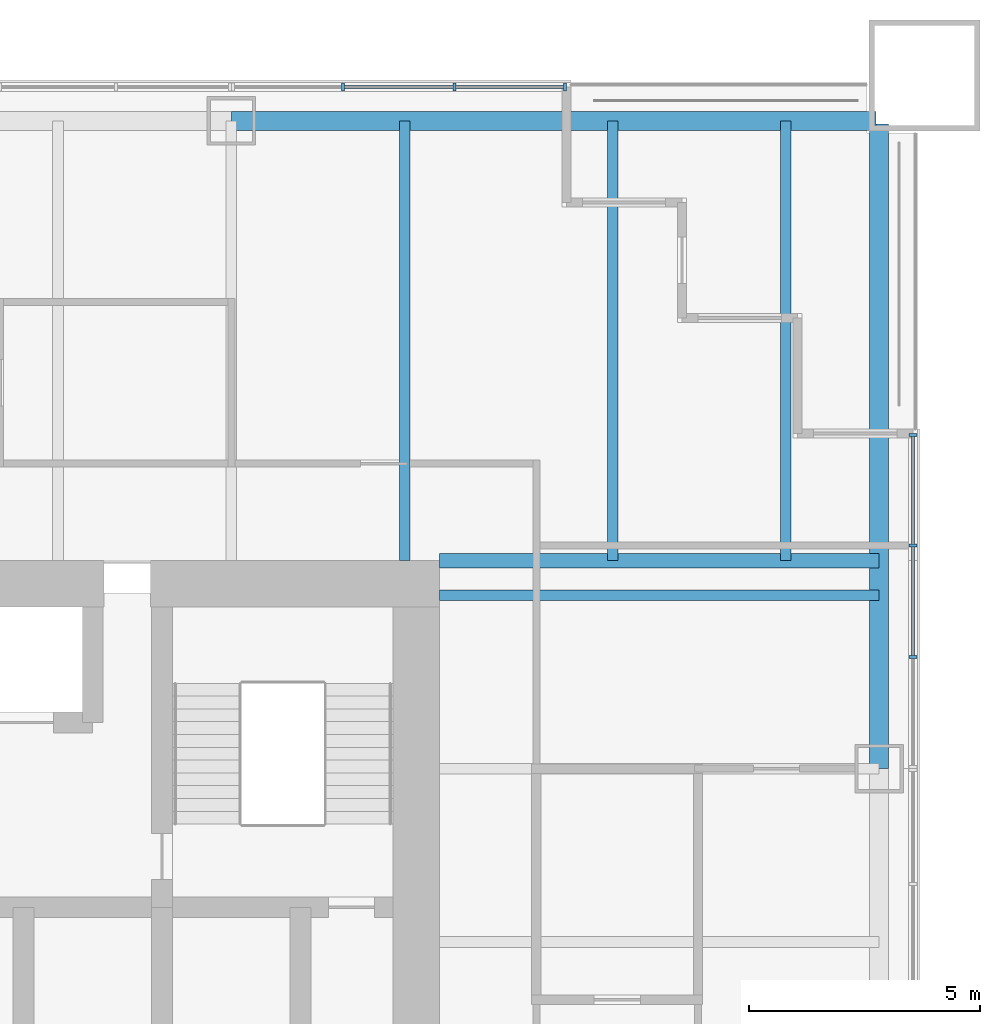
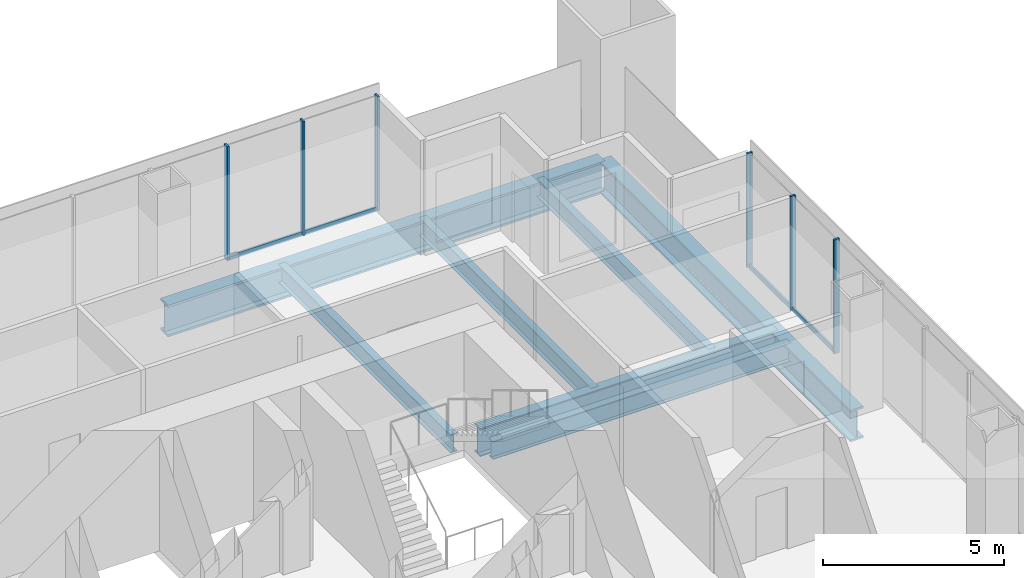
# One storey, part 6 of 13: 10 members, 7 beams, 2 elements without a shape of their own.
"""IFC4 building model written with IfcOpenShell, lengths in metres."""

from ifc_helpers import new_model, si_unit, direction, frame, origin, origin_2d, place, context, subcontext, project, spatial, rectangle, i_section, extrude, material, material_profile, profile_set, type_object, element, aggregate, save


model = new_model("IFC4")

# Units and contexts
model_context = context("Model", 3, precision=1e-05, world=origin(), true_north=direction((0.0, 1.0)))
body_context = subcontext(model_context, "Body", "Model", "MODEL_VIEW")
ifc_project = project(units=[si_unit("LENGTHUNIT", "METRE"), si_unit("AREAUNIT", "SQUARE_METRE"), si_unit("VOLUMEUNIT", "CUBIC_METRE"), si_unit("PLANEANGLEUNIT", "RADIAN"), si_unit("MASSUNIT", "GRAM", prefix="KILO")], contexts=[model_context])

# Site, building, storey
site_placement = place(None, origin())
site = spatial("IfcSite", under=ifc_project, at=site_placement, CompositionType="ELEMENT")
building_placement = place(site_placement, origin())
building = spatial("IfcBuilding", under=site, at=building_placement, Name="Tarangal Relay Tower", CompositionType="ELEMENT")
storey_placement = place(building_placement, frame((0.0, 0.0, 209.89990234375)))
storey = spatial("IfcBuildingStorey", under=building, at=storey_placement, Name="L44", CompositionType="ELEMENT", Elevation=209.89990234375)

# Beams
ifc_material_1 = material(Name="Steel ASTM A992", Category="steel")
ifc_material_profile_1 = material_profile(ifc_material_1, i_section(OverallWidth=0.227783203125, OverallDepth=0.60205078125, WebThickness=0.010498046875, FlangeThickness=0.014892578125, at=origin_2d()), Name="W24X68")
ifc_profile_set_1 = profile_set([ifc_material_profile_1], Name="Steel ASTM A992")
beam_type_1 = type_object("IfcBeamType", Name="Corner beam W24X68", PredefinedType="JOIST", material=ifc_profile_set_1)
for number, where, z_axis, x_axis, name in (
    (1, (15.75, 12.0, -0.450927734375), (0.0, 1.0, 0.0), (-1.0, 0.0, 0.0), "Corner beam CB11 N L44"),
    (2, (19.5, 12.0, -0.450927734375), (0.0, 1.0, 0.0), (-1.0, 0.0, 0.0), "Corner beam CB11 N L44"),
):
    element("IfcBeam", number, at=place(storey_placement, frame(where, z_axis=z_axis, x_axis=x_axis)), inside=storey, type_object=beam_type_1, Name=name, PredefinedType="JOIST", context=body_context, shape_type="SweptSolid", body=[
        extrude(i_section(OverallWidth=0.227783203125, OverallDepth=0.60205078125, WebThickness=0.010498046875, FlangeThickness=0.014892578125, at=origin_2d()), origin(), (0.0, 0.0, 1.0), 9.514892578125),
    ])
ifc_material_profile_2 = material_profile(ifc_material_1, i_section(OverallWidth=0.307373046875, OverallDepth=0.9423828125, WebThickness=0.022216796875, FlangeThickness=0.039794921875, at=origin_2d()), Name="W36X232")
ifc_profile_set_2 = profile_set([ifc_material_profile_2], Name="Steel ASTM A992")
beam_type_2 = type_object("IfcBeamType", Name="Corner girder W36X232", PredefinedType="BEAM", material=ifc_profile_set_2)
beam_placement = place(storey_placement, frame((12.0, 12.0, -0.62109375), z_axis=(1.0, 0.0, 0.0), x_axis=(0.0, 1.0, 0.0)))
element("IfcBeam", 3, at=beam_placement, inside=storey, type_object=beam_type_2, Name="Corner girder CG4 N L44", PredefinedType="BEAM", context=body_context, shape_type="SweptSolid", body=[
    extrude(i_section(OverallWidth=0.307373046875, OverallDepth=0.9423828125, WebThickness=0.022216796875, FlangeThickness=0.039794921875, at=origin_2d()), origin(), (0.0, 0.0, 1.0), 9.514892578125),
])
ifc_material_profile_3 = material_profile(ifc_material_1, i_section(OverallWidth=0.41650390625, OverallDepth=1.0693359375, WebThickness=0.0390625, FlangeThickness=0.070068359375, at=origin_2d()), Name="W40X503")
ifc_profile_set_3 = profile_set([ifc_material_profile_3], Name="Steel ASTM A992")
beam_type_3 = type_object("IfcBeamType", Name="Edge girder W40X503", PredefinedType="SPANDREL", material=ifc_profile_set_3)
for number, where, z_axis, x_axis, name in (
    (4, (7.5, 21.514892578125, -0.6845703125), (1.0, 0.0, 0.0), (0.0, 1.0, 0.0), "Edge girder EG8 N L44"),
    (5, (21.514892578125, 21.449951171875, -0.6845703125), (0.0, -1.0, 0.0), (1.0, 0.0, 0.0), "Edge girder EG8 E L44"),
):
    element("IfcBeam", number, at=place(storey_placement, frame(where, z_axis=z_axis, x_axis=x_axis)), inside=storey, type_object=beam_type_3, Name=name, PredefinedType="SPANDREL", context=body_context, shape_type="SweptSolid", body=[
        extrude(i_section(OverallWidth=0.41650390625, OverallDepth=1.0693359375, WebThickness=0.0390625, FlangeThickness=0.070068359375, at=origin_2d()), origin(), (0.0, 0.0, 1.0), 13.949951171875),
    ])
ifc_material_profile_4 = material_profile(ifc_material_1, i_section(OverallWidth=0.22900390625, OverallDepth=0.612060546875, WebThickness=0.011962890625, FlangeThickness=0.01953125, at=origin_2d()), Name="W24X84")
ifc_profile_set_4 = profile_set([ifc_material_profile_4], Name="Steel ASTM A992")
beam_type_4 = type_object("IfcBeamType", Name="Floor beam W24X84", PredefinedType="BEAM", material=ifc_profile_set_4)
for number, where, z_axis, x_axis, name in (
    (6, (11.25, 12.0, -0.455810546875), (0.0, 1.0, 0.0), (-1.0, 0.0, 0.0), "Floor beam RB12 N L44"),
    (7, (12.0, 11.25, -0.455810546875), (1.0, 0.0, 0.0), (0.0, 1.0, 0.0), "Floor beam RB12 E L44"),
):
    element("IfcBeam", number, at=place(storey_placement, frame(where, z_axis=z_axis, x_axis=x_axis)), inside=storey, type_object=beam_type_4, Name=name, PredefinedType="BEAM", context=body_context, shape_type="SweptSolid", body=[
        extrude(i_section(OverallWidth=0.22900390625, OverallDepth=0.612060546875, WebThickness=0.011962890625, FlangeThickness=0.01953125, at=origin_2d()), origin(), (0.0, 0.0, 1.0), 9.514892578125),
    ])

# Curtain wall, members
ifc_material_2 = material(Name="Unitised curtain wall, dark glass and black aluminium", Category="aluminium")
curtain_wall_type = type_object("IfcCurtainWallType", Name="Curtain wall CW-A", PredefinedType="USERDEFINED", material=ifc_material_2)
curtain_wall_1_placement = place(storey_placement, origin())
curtain_wall_1 = element("IfcCurtainWall", 8, at=curtain_wall_1_placement, inside=storey, type_object=curtain_wall_type, Name="Curtain wall CW-A N facade L44", ObjectType="UNITISED CURTAIN WALL", PredefinedType="USERDEFINED")
ifc_material_3 = material(Name="Black anodised aluminium mullion", Category="aluminium")
ifc_material_profile_5 = material_profile(ifc_material_3, rectangle(XDim=0.175048828125, YDim=0.06494140625, at=origin_2d()), Name="CW-AM 65X175")
ifc_profile_set_5 = profile_set([ifc_material_profile_5], Name="Black anodised aluminium mullion")
member_type_1 = type_object("IfcMemberType", Name="Mullion CW-A 65 x 175", PredefinedType="MULLION", material=ifc_profile_set_5)
member_1_placement = place(storey_placement, frame((9.916748046875, 22.25, 0.0), z_axis=(0.0, 0.0, 1.0), x_axis=(0.0, 1.0, 0.0)))
member_1 = element("IfcMember", 9, at=member_1_placement, type_object=member_type_1, Name="CW-A mullion 2", PredefinedType="MULLION", context=body_context, shape_type="SweptSolid", body=[
    extrude(rectangle(XDim=0.175048828125, YDim=0.06494140625, at=origin_2d()), origin(), (0.0, 0.0, 1.0), 3.85009765625),
])
member_2_placement = place(storey_placement, frame((12.333251953125, 22.25, 0.0), z_axis=(0.0, 0.0, 1.0), x_axis=(0.0, 1.0, 0.0)))
member_2 = element("IfcMember", 10, at=member_2_placement, type_object=member_type_1, Name="CW-A mullion 3", PredefinedType="MULLION", context=body_context, shape_type="SweptSolid", body=[
    extrude(rectangle(XDim=0.175048828125, YDim=0.06494140625, at=origin_2d()), origin(), (0.0, 0.0, 1.0), 3.85009765625),
])
member_3_placement = place(storey_placement, frame((14.717529296875, 22.25, 0.0), z_axis=(0.0, 0.0, 1.0), x_axis=(0.0, 1.0, 0.0)))
member_3 = element("IfcMember", 11, at=member_3_placement, type_object=member_type_1, Name="CW-A mullion 4", PredefinedType="MULLION", context=body_context, shape_type="SweptSolid", body=[
    extrude(rectangle(XDim=0.175048828125, YDim=0.06494140625, at=origin_2d()), origin(), (0.0, 0.0, 1.0), 3.85009765625),
])

curtain_wall_2_placement = place(storey_placement, origin())
curtain_wall_2 = element("IfcCurtainWall", 12, at=curtain_wall_2_placement, inside=storey, type_object=curtain_wall_type, Name="Curtain wall CW-A E facade L44", ObjectType="UNITISED CURTAIN WALL", PredefinedType="USERDEFINED")
member_4_placement = place(storey_placement, frame((22.25, 14.717529296875, 0.0), z_axis=(0.0, 0.0, 1.0), x_axis=(1.0, 0.0, 0.0)))
member_4 = element("IfcMember", 13, at=member_4_placement, type_object=member_type_1, Name="CW-A mullion 1", PredefinedType="MULLION", context=body_context, shape_type="SweptSolid", body=[
    extrude(rectangle(XDim=0.175048828125, YDim=0.06494140625, at=origin_2d()), origin(), (0.0, 0.0, 1.0), 3.85009765625),
])
member_5_placement = place(storey_placement, frame((22.25, 12.333251953125, 0.0), z_axis=(0.0, 0.0, 1.0), x_axis=(1.0, 0.0, 0.0)))
member_5 = element("IfcMember", 14, at=member_5_placement, type_object=member_type_1, Name="CW-A mullion 2", PredefinedType="MULLION", context=body_context, shape_type="SweptSolid", body=[
    extrude(rectangle(XDim=0.175048828125, YDim=0.06494140625, at=origin_2d()), origin(), (0.0, 0.0, 1.0), 3.85009765625),
])
member_6_placement = place(storey_placement, frame((22.25, 9.916748046875, 0.0), z_axis=(0.0, 0.0, 1.0), x_axis=(1.0, 0.0, 0.0)))
member_6 = element("IfcMember", 15, at=member_6_placement, type_object=member_type_1, Name="CW-A mullion 3", PredefinedType="MULLION", context=body_context, shape_type="SweptSolid", body=[
    extrude(rectangle(XDim=0.175048828125, YDim=0.06494140625, at=origin_2d()), origin(), (0.0, 0.0, 1.0), 3.85009765625),
])

# Member
ifc_material_4 = material(Name="Black anodised aluminium transom", Category="aluminium")
ifc_material_profile_6 = material_profile(ifc_material_4, rectangle(XDim=0.06494140625, YDim=0.14990234375, at=origin_2d()), Name="CW-AT 65X150")
ifc_profile_set_6 = profile_set([ifc_material_profile_6], Name="Black anodised aluminium transom")
member_type_2 = type_object("IfcMemberType", Name="Transom CW-A 65 x 150", PredefinedType="USERDEFINED", material=ifc_profile_set_6)
member_7_placement = place(storey_placement, frame((9.94921875, 22.25, 0.03271484375), z_axis=(1.0, 0.0, 0.0), x_axis=(0.0, 1.0, 0.0)))
member_7 = element("IfcMember", 16, at=member_7_placement, type_object=member_type_2, Name="CW-A transom 2.1", ObjectType="TRANSOM", PredefinedType="USERDEFINED", context=body_context, shape_type="SweptSolid", body=[
    extrude(rectangle(XDim=0.06494140625, YDim=0.14990234375, at=origin_2d()), origin(), (0.0, 0.0, 1.0), 2.3515625),
])

member_8_placement = place(storey_placement, frame((12.36572265625, 22.25, 0.03271484375), z_axis=(1.0, 0.0, 0.0), x_axis=(0.0, 1.0, 0.0)))
member_8 = element("IfcMember", 17, at=member_8_placement, type_object=member_type_2, Name="CW-A transom 3.1", ObjectType="TRANSOM", PredefinedType="USERDEFINED", context=body_context, shape_type="SweptSolid", body=[
    extrude(rectangle(XDim=0.06494140625, YDim=0.14990234375, at=origin_2d()), origin(), (0.0, 0.0, 1.0), 2.3193359375),
])

aggregate(curtain_wall_1, [member_1, member_2, member_3, member_7, member_8])

member_9_placement = place(storey_placement, frame((22.25, 14.68505859375, 0.03271484375), z_axis=(0.0, -1.0, 0.0), x_axis=(1.0, 0.0, 0.0)))
member_9 = element("IfcMember", 18, at=member_9_placement, type_object=member_type_2, Name="CW-A transom 1.1", ObjectType="TRANSOM", PredefinedType="USERDEFINED", context=body_context, shape_type="SweptSolid", body=[
    extrude(rectangle(XDim=0.06494140625, YDim=0.14990234375, at=origin_2d()), origin(), (0.0, 0.0, 1.0), 2.3193359375),
])

member_10_placement = place(storey_placement, frame((22.25, 12.30078125, 0.03271484375), z_axis=(0.0, -1.0, 0.0), x_axis=(1.0, 0.0, 0.0)))
member_10 = element("IfcMember", 19, at=member_10_placement, type_object=member_type_2, Name="CW-A transom 2.1", ObjectType="TRANSOM", PredefinedType="USERDEFINED", context=body_context, shape_type="SweptSolid", body=[
    extrude(rectangle(XDim=0.06494140625, YDim=0.14990234375, at=origin_2d()), origin(), (0.0, 0.0, 1.0), 2.3515625),
])

aggregate(curtain_wall_2, [member_4, member_5, member_6, member_9, member_10])

save(model, "model.ifc")
